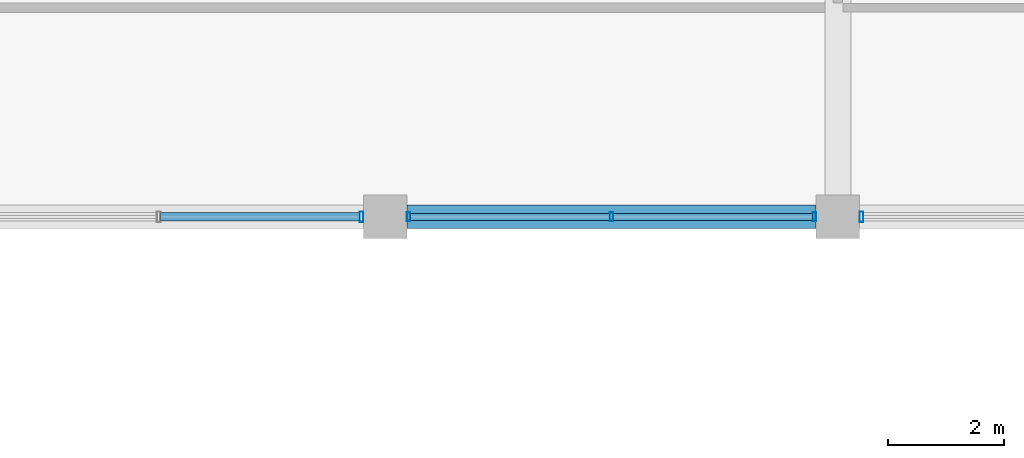
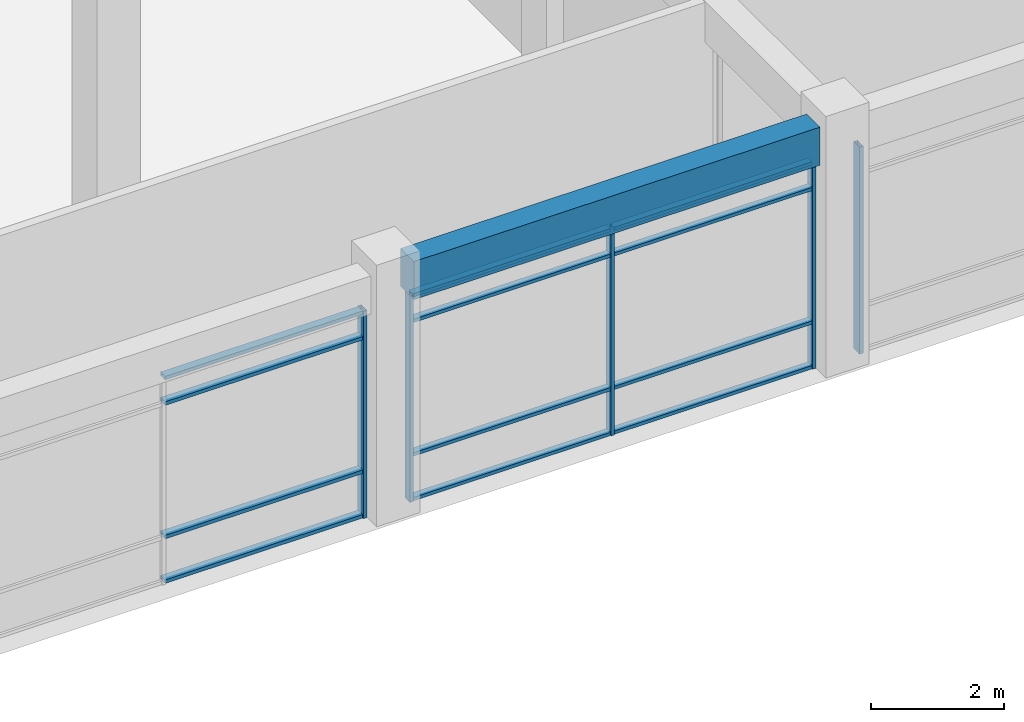
# One storey, part 19 of 62: 17 members, 1 beam, 3 elements without a shape of their own.
"""IFC4 building model written with IfcOpenShell, lengths in metres."""

from ifc_helpers import new_model, si_unit, direction, frame, origin, origin_2d, place, context, subcontext, project, spatial, rectangle, hollow_rectangle, extrude, material, material_profile, profile_set, type_object, element, aggregate, save


model = new_model("IFC4")

# Units and contexts
model_context = context("Model", 3, precision=1e-05, world=origin(), true_north=direction((0.0, 1.0)))
body_context = subcontext(model_context, "Body", "Model", "MODEL_VIEW")
ifc_project = project(units=[si_unit("LENGTHUNIT", "METRE"), si_unit("AREAUNIT", "SQUARE_METRE"), si_unit("VOLUMEUNIT", "CUBIC_METRE"), si_unit("PLANEANGLEUNIT", "RADIAN"), si_unit("MASSUNIT", "GRAM", prefix="KILO"), si_unit("THERMODYNAMICTEMPERATUREUNIT", "KELVIN"), si_unit("POWERUNIT", "WATT")], contexts=[model_context])

# Site, building, storey
site_placement = place(None, origin())
site = spatial("IfcSite", under=ifc_project, at=site_placement, CompositionType="ELEMENT")
building_placement = place(site_placement, origin())
building = spatial("IfcBuilding", under=site, at=building_placement, Name="Srebrne Nadtorze General Hospital", CompositionType="ELEMENT")
storey_placement = place(building_placement, frame((0.0, 0.0, 9.60009765625)))
storey = spatial("IfcBuildingStorey", under=building, at=storey_placement, Name="L02", CompositionType="ELEMENT", Elevation=9.60009765625)

# Curtain wall, members
ifc_material_1 = material(Name="Anodised Aluminium", Category="aluminium")
curtain_wall_type = type_object("IfcCurtainWallType", Name="Unitised curtain wall 7050x3800", PredefinedType="NOTDEFINED", material=ifc_material_1)
curtain_wall_1_placement = place(storey_placement, origin())
curtain_wall_1 = element("IfcCurtainWall", 1, at=curtain_wall_1_placement, inside=storey, type_object=curtain_wall_type, Name="Curtain wall CW-078", PredefinedType="NOTDEFINED")
ifc_material_2 = material(Name="Anodised Aluminium", Category="aluminium")
ifc_material_profile_1 = material_profile(ifc_material_2, hollow_rectangle(XDim=0.06005859375, YDim=0.14990234375, WallThickness=0.00390625, at=origin_2d()), Name="AL-MUL-60x150")
ifc_profile_set_1 = profile_set([ifc_material_profile_1], Name="Anodised Aluminium")
member_type_1 = type_object("IfcMemberType", Name="Curtain mullion 60x150", PredefinedType="MULLION", material=ifc_profile_set_1)
member_1_placement = place(storey_placement, frame((70.60498046875, 50.39990234375, 0.0), z_axis=(0.0, 0.0, 1.0), x_axis=(1.0, 0.0, 0.0)))
member_1 = element("IfcMember", 2, at=member_1_placement, type_object=member_type_1, Name="CW-078 mullion 1", PredefinedType="MULLION", context=body_context, shape_type="SweptSolid", body=[
    extrude(hollow_rectangle(XDim=0.06005859375, YDim=0.14990234375, WallThickness=0.00390625, at=origin_2d()), origin(), (0.0, 0.0, 1.0), 3.7998046875),
])
member_2_placement = place(storey_placement, frame((74.10009765625, 50.39990234375, 0.0), z_axis=(0.0, 0.0, 1.0), x_axis=(1.0, 0.0, 0.0)))
member_2 = element("IfcMember", 3, at=member_2_placement, type_object=member_type_1, Name="CW-078 mullion 2", PredefinedType="MULLION", context=body_context, shape_type="SweptSolid", body=[
    extrude(hollow_rectangle(XDim=0.06005859375, YDim=0.14990234375, WallThickness=0.00390625, at=origin_2d()), origin(), (0.0, 0.0, 1.0), 3.7998046875),
])
member_3_placement = place(storey_placement, frame((77.594970703125, 50.39990234375, 0.0), z_axis=(0.0, 0.0, 1.0), x_axis=(1.0, 0.0, 0.0)))
member_3 = element("IfcMember", 4, at=member_3_placement, type_object=member_type_1, Name="CW-078 mullion 3", PredefinedType="MULLION", context=body_context, shape_type="SweptSolid", body=[
    extrude(hollow_rectangle(XDim=0.06005859375, YDim=0.14990234375, WallThickness=0.00390625, at=origin_2d()), origin(), (0.0, 0.0, 1.0), 3.7998046875),
])

# Curtain wall, member
curtain_wall_2_placement = place(storey_placement, origin())
curtain_wall_2 = element("IfcCurtainWall", 5, at=curtain_wall_2_placement, inside=storey, type_object=curtain_wall_type, Name="Curtain wall CW-077", PredefinedType="NOTDEFINED")
ifc_material_3 = material(Name="Anodised Aluminium", Category="aluminium")
ifc_material_profile_2 = material_profile(ifc_material_3, hollow_rectangle(XDim=0.06494140625, YDim=0.179931640625, WallThickness=0.00390625, at=origin_2d()), Name="AL-MUL-65x180")
ifc_profile_set_2 = profile_set([ifc_material_profile_2], Name="Anodised Aluminium")
member_type_2 = type_object("IfcMemberType", Name="Curtain mullion 65x180", PredefinedType="MULLION", material=ifc_profile_set_2)
member_4_placement = place(storey_placement, frame((69.79248046875, 50.39990234375, 0.0), z_axis=(0.0, 0.0, 1.0), x_axis=(1.0, 0.0, 0.0)))
member_4 = element("IfcMember", 6, at=member_4_placement, type_object=member_type_2, Name="CW-077 mullion 3", PredefinedType="MULLION", context=body_context, shape_type="SweptSolid", body=[
    extrude(hollow_rectangle(XDim=0.06494140625, YDim=0.179931640625, WallThickness=0.00390625, at=origin_2d()), origin(), (0.0, 0.0, 1.0), 3.7998046875),
])

curtain_wall_3_placement = place(storey_placement, origin())
curtain_wall_3 = element("IfcCurtainWall", 7, at=curtain_wall_3_placement, inside=storey, type_object=curtain_wall_type, Name="Curtain wall CW-079", PredefinedType="NOTDEFINED")
member_5_placement = place(storey_placement, frame((78.407470703125, 50.39990234375, 0.0), z_axis=(0.0, 0.0, 1.0), x_axis=(1.0, 0.0, 0.0)))
member_5 = element("IfcMember", 8, at=member_5_placement, type_object=member_type_2, Name="CW-079 mullion 1", PredefinedType="MULLION", context=body_context, shape_type="SweptSolid", body=[
    extrude(hollow_rectangle(XDim=0.06494140625, YDim=0.179931640625, WallThickness=0.00390625, at=origin_2d()), origin(), (0.0, 0.0, 1.0), 3.7998046875),
])
aggregate(curtain_wall_3, [member_5])

# Member
ifc_material_4 = material(Name="Anodised Aluminium", Category="aluminium")
ifc_material_profile_3 = material_profile(ifc_material_4, hollow_rectangle(XDim=0.06005859375, YDim=0.1201171875, WallThickness=0.00390625, at=origin_2d()), Name="AL-TRN-60x120")
ifc_profile_set_3 = profile_set([ifc_material_profile_3], Name="Anodised Aluminium")
member_type_3 = type_object("IfcMemberType", Name="Curtain transom 60x120", PredefinedType="USERDEFINED", material=ifc_profile_set_3)
member_6_placement = place(storey_placement, frame((70.635009765625, 50.39990234375, 0.02978515625), z_axis=(1.0, 0.0, 0.0), x_axis=(0.0, 0.0, 1.0)))
member_6 = element("IfcMember", 9, at=member_6_placement, type_object=member_type_3, Name="CW-078 transom 1.1", ObjectType="TRANSOM", PredefinedType="USERDEFINED", context=body_context, shape_type="SweptSolid", body=[
    extrude(hollow_rectangle(XDim=0.06005859375, YDim=0.1201171875, WallThickness=0.00390625, at=origin_2d()), origin(), (0.0, 0.0, 1.0), 3.43505859375),
])

member_7_placement = place(storey_placement, frame((70.635009765625, 50.39990234375, 0.849853515625), z_axis=(1.0, 0.0, 0.0), x_axis=(0.0, 0.0, 1.0)))
member_7 = element("IfcMember", 10, at=member_7_placement, type_object=member_type_3, Name="CW-078 transom 1.2", ObjectType="TRANSOM", PredefinedType="USERDEFINED", context=body_context, shape_type="SweptSolid", body=[
    extrude(hollow_rectangle(XDim=0.06005859375, YDim=0.1201171875, WallThickness=0.00390625, at=origin_2d()), origin(), (0.0, 0.0, 1.0), 3.43505859375),
])

member_8_placement = place(storey_placement, frame((70.635009765625, 50.39990234375, 3.2998046875), z_axis=(1.0, 0.0, 0.0), x_axis=(0.0, 0.0, 1.0)))
member_8 = element("IfcMember", 11, at=member_8_placement, type_object=member_type_3, Name="CW-078 transom 1.3", ObjectType="TRANSOM", PredefinedType="USERDEFINED", context=body_context, shape_type="SweptSolid", body=[
    extrude(hollow_rectangle(XDim=0.06005859375, YDim=0.1201171875, WallThickness=0.00390625, at=origin_2d()), origin(), (0.0, 0.0, 1.0), 3.43505859375),
])

member_9_placement = place(storey_placement, frame((70.635009765625, 50.39990234375, 3.77001953125), z_axis=(1.0, 0.0, 0.0), x_axis=(0.0, 0.0, 1.0)))
member_9 = element("IfcMember", 12, at=member_9_placement, type_object=member_type_3, Name="CW-078 transom 1.4", ObjectType="TRANSOM", PredefinedType="USERDEFINED", context=body_context, shape_type="SweptSolid", body=[
    extrude(hollow_rectangle(XDim=0.06005859375, YDim=0.1201171875, WallThickness=0.00390625, at=origin_2d()), origin(), (0.0, 0.0, 1.0), 3.43505859375),
])

member_10_placement = place(storey_placement, frame((74.1298828125, 50.39990234375, 0.02978515625), z_axis=(1.0, 0.0, 0.0), x_axis=(0.0, 0.0, 1.0)))
member_10 = element("IfcMember", 13, at=member_10_placement, type_object=member_type_3, Name="CW-078 transom 2.1", ObjectType="TRANSOM", PredefinedType="USERDEFINED", context=body_context, shape_type="SweptSolid", body=[
    extrude(hollow_rectangle(XDim=0.06005859375, YDim=0.1201171875, WallThickness=0.00390625, at=origin_2d()), origin(), (0.0, 0.0, 1.0), 3.43505859375),
])

member_11_placement = place(storey_placement, frame((74.1298828125, 50.39990234375, 0.849853515625), z_axis=(1.0, 0.0, 0.0), x_axis=(0.0, 0.0, 1.0)))
member_11 = element("IfcMember", 14, at=member_11_placement, type_object=member_type_3, Name="CW-078 transom 2.2", ObjectType="TRANSOM", PredefinedType="USERDEFINED", context=body_context, shape_type="SweptSolid", body=[
    extrude(hollow_rectangle(XDim=0.06005859375, YDim=0.1201171875, WallThickness=0.00390625, at=origin_2d()), origin(), (0.0, 0.0, 1.0), 3.43505859375),
])

member_12_placement = place(storey_placement, frame((74.1298828125, 50.39990234375, 3.2998046875), z_axis=(1.0, 0.0, 0.0), x_axis=(0.0, 0.0, 1.0)))
member_12 = element("IfcMember", 15, at=member_12_placement, type_object=member_type_3, Name="CW-078 transom 2.3", ObjectType="TRANSOM", PredefinedType="USERDEFINED", context=body_context, shape_type="SweptSolid", body=[
    extrude(hollow_rectangle(XDim=0.06005859375, YDim=0.1201171875, WallThickness=0.00390625, at=origin_2d()), origin(), (0.0, 0.0, 1.0), 3.43505859375),
])

member_13_placement = place(storey_placement, frame((74.1298828125, 50.39990234375, 3.77001953125), z_axis=(1.0, 0.0, 0.0), x_axis=(0.0, 0.0, 1.0)))
member_13 = element("IfcMember", 16, at=member_13_placement, type_object=member_type_3, Name="CW-078 transom 2.4", ObjectType="TRANSOM", PredefinedType="USERDEFINED", context=body_context, shape_type="SweptSolid", body=[
    extrude(hollow_rectangle(XDim=0.06005859375, YDim=0.1201171875, WallThickness=0.00390625, at=origin_2d()), origin(), (0.0, 0.0, 1.0), 3.43505859375),
])

aggregate(curtain_wall_1, [member_1, member_2, member_3, member_6, member_7, member_8, member_9, member_10, member_11, member_12, member_13])

ifc_material_5 = material(Name="Anodised Aluminium", Category="aluminium")
ifc_material_profile_4 = material_profile(ifc_material_5, hollow_rectangle(XDim=0.06494140625, YDim=0.139892578125, WallThickness=0.00390625, at=origin_2d()), Name="AL-TRN-65x140")
ifc_profile_set_4 = profile_set([ifc_material_profile_4], Name="Anodised Aluminium")
member_type_4 = type_object("IfcMemberType", Name="Curtain transom 65x140", PredefinedType="USERDEFINED", material=ifc_profile_set_4)
member_14_placement = place(storey_placement, frame((66.33251953125, 50.39990234375, 0.032470703125), z_axis=(1.0, 0.0, 0.0), x_axis=(0.0, 0.0, 1.0)))
member_14 = element("IfcMember", 17, at=member_14_placement, type_object=member_type_4, Name="CW-077 transom 2.1", ObjectType="TRANSOM", PredefinedType="USERDEFINED", context=body_context, shape_type="SweptSolid", body=[
    extrude(hollow_rectangle(XDim=0.06494140625, YDim=0.139892578125, WallThickness=0.00390625, at=origin_2d()), origin(), (0.0, 0.0, 1.0), 3.427490234375),
])

member_15_placement = place(storey_placement, frame((66.33251953125, 50.39990234375, 0.849853515625), z_axis=(1.0, 0.0, 0.0), x_axis=(0.0, 0.0, 1.0)))
member_15 = element("IfcMember", 18, at=member_15_placement, type_object=member_type_4, Name="CW-077 transom 2.2", ObjectType="TRANSOM", PredefinedType="USERDEFINED", context=body_context, shape_type="SweptSolid", body=[
    extrude(hollow_rectangle(XDim=0.06494140625, YDim=0.139892578125, WallThickness=0.00390625, at=origin_2d()), origin(), (0.0, 0.0, 1.0), 3.427490234375),
])

member_16_placement = place(storey_placement, frame((66.33251953125, 50.39990234375, 3.2998046875), z_axis=(1.0, 0.0, 0.0), x_axis=(0.0, 0.0, 1.0)))
member_16 = element("IfcMember", 19, at=member_16_placement, type_object=member_type_4, Name="CW-077 transom 2.3", ObjectType="TRANSOM", PredefinedType="USERDEFINED", context=body_context, shape_type="SweptSolid", body=[
    extrude(hollow_rectangle(XDim=0.06494140625, YDim=0.139892578125, WallThickness=0.00390625, at=origin_2d()), origin(), (0.0, 0.0, 1.0), 3.427490234375),
])

member_17_placement = place(storey_placement, frame((66.33251953125, 50.39990234375, 3.767333984375), z_axis=(1.0, 0.0, 0.0), x_axis=(0.0, 0.0, 1.0)))
member_17 = element("IfcMember", 20, at=member_17_placement, type_object=member_type_4, Name="CW-077 transom 2.4", ObjectType="TRANSOM", PredefinedType="USERDEFINED", context=body_context, shape_type="SweptSolid", body=[
    extrude(hollow_rectangle(XDim=0.06494140625, YDim=0.139892578125, WallThickness=0.00390625, at=origin_2d()), origin(), (0.0, 0.0, 1.0), 3.427490234375),
])

aggregate(curtain_wall_2, [member_4, member_14, member_15, member_16, member_17])

# Beam
ifc_material_6 = material(Name="Concrete C40/50", Category="concrete")
ifc_material_profile_5 = material_profile(ifc_material_6, rectangle(XDim=0.39990234375, YDim=0.699951171875, at=origin_2d()), Name="RC-BM-400x700")
ifc_profile_set_5 = profile_set([ifc_material_profile_5], Name="Concrete C40/50")
beam_type = type_object("IfcBeamType", Name="Edge beam RC 400x700", PredefinedType="BEAM", material=ifc_profile_set_5)
beam_placement = place(storey_placement, frame((70.574951171875, 50.39990234375, 4.14990234375), z_axis=(1.0, 0.0, 0.0), x_axis=(0.0, 1.0, 0.0)))
element("IfcBeam", 21, at=beam_placement, inside=storey, type_object=beam_type, Name="Beam BM-L02-X-0584", PredefinedType="BEAM", context=body_context, shape_type="SweptSolid", body=[
    extrude(rectangle(XDim=0.39990234375, YDim=0.699951171875, at=origin_2d()), origin(), (0.0, 0.0, 1.0), 7.050048828125),
])

save(model, "model.ifc")
